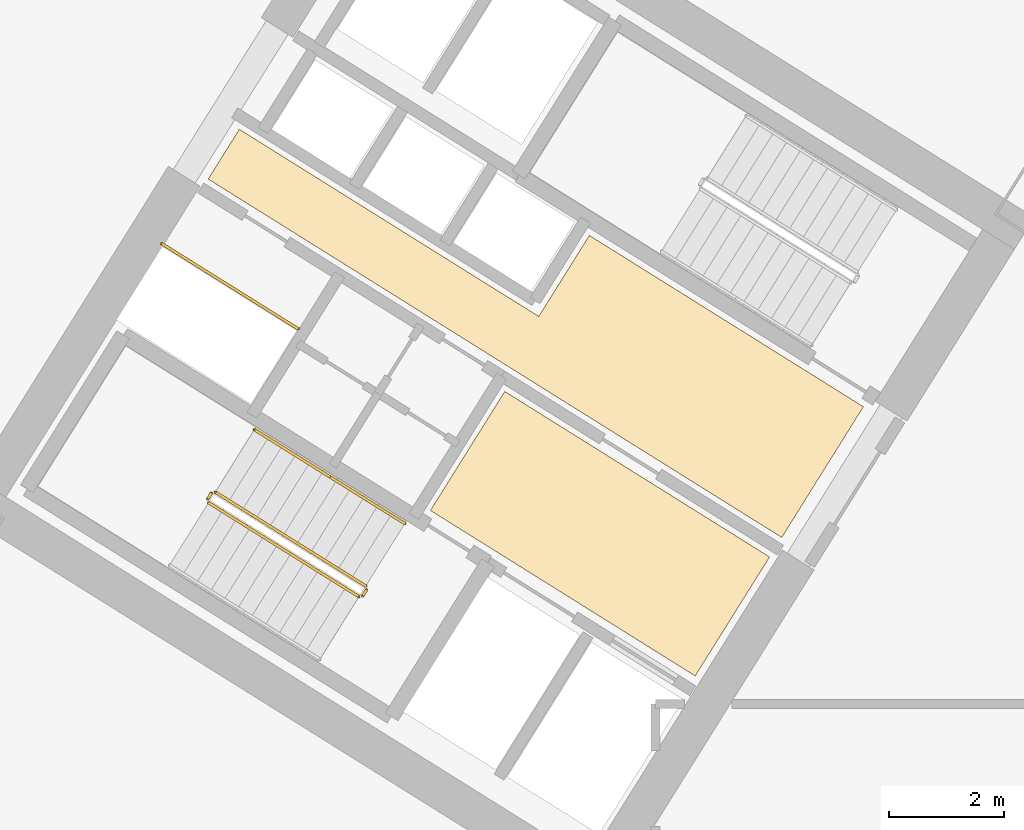
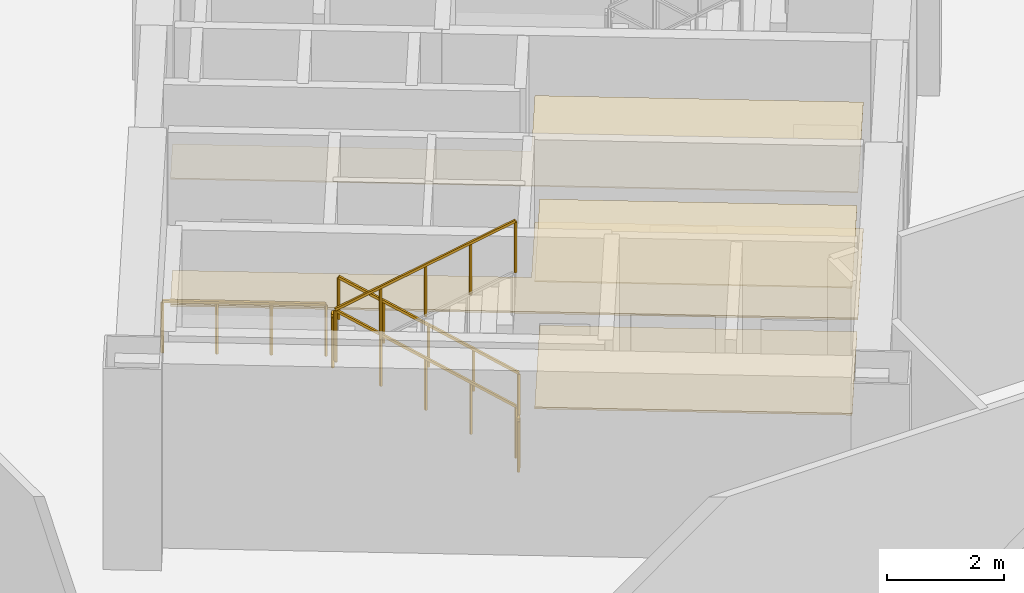
# One storey, part 18 of 22: 7 railings, 4 coverings.
"""IFC4 building model written with IfcOpenShell, lengths in metres."""

from ifc_helpers import new_model, si_unit, direction, frame, origin, origin_2d, place, context, subcontext, project, spatial, polyline, rectangle, outline, extrude, source, transform, mapped, material, layer, layer_set, type_object, element, save


model = new_model("IFC4")

# Units and contexts
model_context = context("Model", 3, precision=1e-05, world=origin(), true_north=direction((0.0, 1.0)))
body_context = subcontext(model_context, "Body", "Model", "MODEL_VIEW")
ifc_project = project(units=[si_unit("LENGTHUNIT", "METRE"), si_unit("AREAUNIT", "SQUARE_METRE"), si_unit("VOLUMEUNIT", "CUBIC_METRE"), si_unit("PLANEANGLEUNIT", "RADIAN"), si_unit("MASSUNIT", "GRAM", prefix="KILO")], contexts=[model_context])

# Site, building, storey
site_placement = place(None, origin())
site = spatial("IfcSite", under=ifc_project, at=site_placement, CompositionType="ELEMENT")
building_placement = place(site_placement, origin())
building = spatial("IfcBuilding", under=site, at=building_placement, Name="Tlacorven Tower", CompositionType="ELEMENT")
storey_placement = place(building_placement, frame((0.0, 0.0, 10.199951171875)))
storey = spatial("IfcBuildingStorey", under=building, at=storey_placement, Name="L02", CompositionType="ELEMENT", Elevation=10.199951171875)

# Coverings
ifc_material_1 = material(Name="Acoustic mineral-fibre ceiling")
ifc_layer_1 = layer(ifc_material_1, 0.02490234375)
ifc_layer_set_1 = layer_set([ifc_layer_1], Name="Acoustic mineral-fibre ceiling")
covering_type_1 = type_object("IfcCoveringType", Name="CV-CLG-ACST", PredefinedType="CEILING", material=ifc_layer_set_1)
covering_1_placement = place(storey_placement, frame((0.0, 0.0, 2.650146484375)))
element("IfcCovering", 1, at=covering_1_placement, inside=storey, type_object=covering_type_1, Name="L02 Acoustic Suspended Ceiling 1", PredefinedType="CEILING", context=body_context, shape_type="SweptSolid", body=[
    extrude(outline(polyline([(36.185302734375, 18.35595703125), (34.892333984375, 16.286865234375), (30.287353515625, 19.164306640625), (31.580322265625, 21.2333984375), (36.185302734375, 18.35595703125)])), origin(), (0.0, 0.0, 1.0), 0.02490234375),
])
covering_2_placement = place(storey_placement, frame((0.0, 0.0, 2.650146484375)))
element("IfcCovering", 2, at=covering_2_placement, inside=storey, type_object=covering_type_1, Name="L02 Acoustic Suspended Ceiling 2", PredefinedType="CEILING", context=body_context, shape_type="SweptSolid", body=[
    extrude(outline(polyline([(37.8173828125, 20.968017578125), (36.397216796875, 18.6953125), (26.424072265625, 24.927001953125), (26.964599609375, 25.7919921875), (32.171630859375, 22.538330078125), (33.05126953125, 23.946044921875), (37.8173828125, 20.968017578125)])), origin(), (0.0, 0.0, 1.0), 0.02490234375),
])
ifc_material_2 = material(Name="Terrazzo and ceramic flooring")
ifc_layer_2 = layer(ifc_material_2, 0.0400390625)
ifc_layer_set_2 = layer_set([ifc_layer_2], Name="Terrazzo and ceramic flooring")
covering_type_2 = type_object("IfcCoveringType", Name="CV-FLR-TERZ", PredefinedType="FLOORING", material=ifc_layer_set_2)
covering_3_placement = place(storey_placement, origin())
element("IfcCovering", 3, at=covering_3_placement, inside=storey, type_object=covering_type_2, Name="L02 Terrazzo Floor Finish 1", PredefinedType="FLOORING", context=body_context, shape_type="SweptSolid", body=[
    extrude(outline(polyline([(36.185302734375, 18.35595703125), (34.892333984375, 16.286865234375), (30.287353515625, 19.164306640625), (31.580322265625, 21.2333984375), (36.185302734375, 18.35595703125)])), origin(), (0.0, 0.0, 1.0), 0.0400390625),
])
covering_4_placement = place(storey_placement, origin())
element("IfcCovering", 4, at=covering_4_placement, inside=storey, type_object=covering_type_2, Name="L02 Terrazzo Floor Finish 2", PredefinedType="FLOORING", context=body_context, shape_type="SweptSolid", body=[
    extrude(outline(polyline([(37.8173828125, 20.968017578125), (36.397216796875, 18.6953125), (26.424072265625, 24.927001953125), (26.964599609375, 25.7919921875), (32.171630859375, 22.538330078125), (33.05126953125, 23.946044921875), (37.8173828125, 20.968017578125)])), origin(), (0.0, 0.0, 1.0), 0.0400390625),
])

# Railings
ifc_material_3 = material(Name="Aluminium and painted steel balustrade", Category="steel")
railing_type_1 = type_object("IfcRailingType", Name="RL-GRD-1100", PredefinedType="GUARDRAIL", material=ifc_material_3)
shared_shape_1 = source(origin(), body_context, "Body", "SweptSolid", [
    extrude(rectangle(XDim=0.048095703125, YDim=0.048095703125, at=origin_2d()), frame((0.0, 0.0, 1.076171875), z_axis=(-0.848091358275, 0.529850024081, 0.0), x_axis=(-0.529850024081, -0.848091358275, 0.0)), (0.0, 0.0, 1.0), 2.800048828125),
    extrude(rectangle(XDim=0.0419921875, YDim=0.0419921875, at=origin_2d()), origin(), (0.0, 0.0, 1.0), 1.052001953125),
    extrude(rectangle(XDim=0.0419921875, YDim=0.0419921875, at=origin_2d()), frame((-0.79150390625, 0.49462890625, 0.0)), (0.0, 0.0, 1.0), 1.052001953125),
    extrude(rectangle(XDim=0.0419921875, YDim=0.0419921875, at=origin_2d()), frame((-1.583251953125, 0.989013671875, 0.0)), (0.0, 0.0, 1.0), 1.052001953125),
    extrude(rectangle(XDim=0.0419921875, YDim=0.0419921875, at=origin_2d()), frame((-2.374755859375, 1.483642578125, 0.0)), (0.0, 0.0, 1.0), 1.052001953125),
])
railing_1_placement = place(storey_placement, frame((27.9912109375, 22.32080078125, 0.0)))
element("IfcRailing", 5, at=railing_1_placement, inside=storey, type_object=railing_type_1, Name="L02 Electrical Riser W Shaft Guard 1", PredefinedType="GUARDRAIL", context=body_context, shape_type="MappedRepresentation", body=[
    mapped(shared_shape_1, transform((0.0, 0.0, 0.0), scale=1.0)),
])
shared_shape_2 = source(origin(), body_context, "Body", "SweptSolid", [
    extrude(rectangle(XDim=0.048095703125, YDim=0.048095703125, at=origin_2d()), frame((0.0, 0.0, 1.076171875), z_axis=(-0.529084052582, -0.848569422795, 0.0), x_axis=(0.848569422795, -0.529084052582, 0.0)), (0.0, 0.0, 1.0), 0.119873046875),
    extrude(rectangle(XDim=0.0419921875, YDim=0.0419921875, at=origin_2d()), origin(), (0.0, 0.0, 1.0), 1.052001953125),
    extrude(rectangle(XDim=0.0419921875, YDim=0.0419921875, at=origin_2d()), frame((-0.0634765625, -0.101806640625, 0.0)), (0.0, 0.0, 1.0), 1.052001953125),
])
for number, where, name in (
    (6, (26.479736328125, 19.468017578125, 2.10009765625), "L02 ST-W1 stair guard 2"),
    (7, (29.176513671875, 17.782958984375, 0.0), "L02 ST-W1 stair guard 4"),
):
    element("IfcRailing", number, at=place(storey_placement, frame(where)), inside=storey, type_object=railing_type_1, Name=name, PredefinedType="GUARDRAIL", context=body_context, shape_type="MappedRepresentation", body=[
        mapped(shared_shape_2, transform((0.0, 0.0, 0.0), scale=1.0)),
    ])
shared_shape_3 = source(origin(), body_context, "Body", "SweptSolid", [
    extrude(rectangle(XDim=0.048095703125, YDim=0.048095703125, at=origin_2d()), frame((0.0, 0.0, 1.076171875), z_axis=(-0.719121732904, 0.449367057811, 0.530031301547), x_axis=(-0.52992768316, -0.848042835369, 0.0)), (0.0, 0.0, 1.0), 3.6318359375),
    extrude(rectangle(XDim=0.0419921875, YDim=0.0419921875, at=origin_2d()), origin(), (0.0, 0.0, 1.0), 1.052001953125),
    extrude(rectangle(XDim=0.0419921875, YDim=0.0419921875, at=origin_2d()), frame((-0.65283203125, 0.407958984375, 0.481201171875)), (0.0, 0.0, 1.0), 1.052001953125),
    extrude(rectangle(XDim=0.0419921875, YDim=0.0419921875, at=origin_2d()), frame((-1.305908203125, 0.81591796875, 0.96240234375)), (0.0, 0.0, 1.0), 1.052001953125),
    extrude(rectangle(XDim=0.0419921875, YDim=0.0419921875, at=origin_2d()), frame((-1.958984375, 1.22412109375, 1.44384765625)), (0.0, 0.0, 1.0), 1.052001953125),
    extrude(rectangle(XDim=0.0419921875, YDim=0.0419921875, at=origin_2d()), frame((-2.61181640625, 1.632080078125, 1.925048828125)), (0.0, 0.0, 1.0), 1.052001953125),
])
railing_2_placement = place(storey_placement, frame((29.16064453125, 17.851806640625, 0.175048828125)))
element("IfcRailing", 8, at=railing_2_placement, inside=storey, type_object=railing_type_1, Name="L02 ST-W1 stair guard 1", PredefinedType="GUARDRAIL", context=body_context, shape_type="MappedRepresentation", body=[
    mapped(shared_shape_3, transform((0.0, 0.0, 0.0), scale=1.0)),
])
shared_shape_4 = source(origin(), body_context, "Body", "SweptSolid", [
    extrude(rectangle(XDim=0.048095703125, YDim=0.048095703125, at=origin_2d()), frame((0.0, 0.0, 1.076171875), z_axis=(0.719179808639, -0.449361344121, 0.529957342865), x_axis=(0.52989206052, 0.848065094316, 0.0)), (0.0, 0.0, 1.0), 3.632080078125),
    extrude(rectangle(XDim=0.0419921875, YDim=0.0419921875, at=origin_2d()), origin(), (0.0, 0.0, 1.0), 1.052001953125),
    extrude(rectangle(XDim=0.0419921875, YDim=0.0419921875, at=origin_2d()), frame((0.653076171875, -0.407958984375, 0.481201171875)), (0.0, 0.0, 1.0), 1.052001953125),
    extrude(rectangle(XDim=0.0419921875, YDim=0.0419921875, at=origin_2d()), frame((1.30615234375, -0.81591796875, 0.96240234375)), (0.0, 0.0, 1.0), 1.052001953125),
    extrude(rectangle(XDim=0.0419921875, YDim=0.0419921875, at=origin_2d()), frame((1.958984375, -1.22412109375, 1.443603515625)), (0.0, 0.0, 1.0), 1.052001953125),
    extrude(rectangle(XDim=0.0419921875, YDim=0.0419921875, at=origin_2d()), frame((2.612060546875, -1.632080078125, 1.9248046875)), (0.0, 0.0, 1.0), 1.052001953125),
])
railing_3_placement = place(storey_placement, frame((26.43212890625, 19.29736328125, 2.275146484375)))
element("IfcRailing", 9, at=railing_3_placement, inside=storey, type_object=railing_type_1, Name="L02 ST-W1 stair guard 3", PredefinedType="GUARDRAIL", context=body_context, shape_type="MappedRepresentation", body=[
    mapped(shared_shape_4, transform((0.0, 0.0, 0.0), scale=1.0)),
])
railing_type_2 = type_object("IfcRailingType", Name="RL-HND-0900", PredefinedType="HANDRAIL", material=ifc_material_3)
shared_shape_5 = source(origin(), body_context, "Body", "SweptSolid", [
    extrude(rectangle(XDim=0.048095703125, YDim=0.048095703125, at=origin_2d()), frame((0.0, 0.0, 0.8759765625), z_axis=(-0.719190535565, 0.449393263625, 0.529915717981), x_axis=(-0.529913446429, -0.848051731496, 0.0)), (0.0, 0.0, 1.0), 1.816162109375),
    extrude(rectangle(XDim=0.0419921875, YDim=0.0419921875, at=origin_2d()), origin(), (0.0, 0.0, 1.0), 0.851806640625),
    extrude(rectangle(XDim=0.0419921875, YDim=0.0419921875, at=origin_2d()), frame((-0.653076171875, 0.408203125, 0.481201171875)), (0.0, 0.0, 1.0), 0.851806640625),
    extrude(rectangle(XDim=0.0419921875, YDim=0.0419921875, at=origin_2d()), frame((-1.30615234375, 0.816162109375, 0.96240234375)), (0.0, 0.0, 1.0), 0.851806640625),
])
railing_4_placement = place(storey_placement, frame((29.839111328125, 18.937255859375, 0.175048828125)))
element("IfcRailing", 10, at=railing_4_placement, inside=storey, type_object=railing_type_2, Name="L02 ST-W1 stair handrail 1", PredefinedType="HANDRAIL", context=body_context, shape_type="MappedRepresentation", body=[
    mapped(shared_shape_5, transform((0.0, 0.0, 0.0), scale=1.0)),
])
shared_shape_6 = source(origin(), body_context, "Body", "SweptSolid", [
    extrude(rectangle(XDim=0.048095703125, YDim=0.048095703125, at=origin_2d()), frame((0.0, 0.0, 0.8759765625), z_axis=(-0.719074390694, 0.449404690239, 0.530063623576), x_axis=(-0.529984689533, -0.848007210383, 0.0)), (0.0, 0.0, 1.0), 1.816162109375),
    extrude(rectangle(XDim=0.0419921875, YDim=0.0419921875, at=origin_2d()), origin(), (0.0, 0.0, 1.0), 0.851806640625),
    extrude(rectangle(XDim=0.0419921875, YDim=0.0419921875, at=origin_2d()), frame((-0.65283203125, 0.408203125, 0.4814453125)), (0.0, 0.0, 1.0), 0.851806640625),
    extrude(rectangle(XDim=0.0419921875, YDim=0.0419921875, at=origin_2d()), frame((-1.305908203125, 0.816162109375, 0.962646484375)), (0.0, 0.0, 1.0), 0.851806640625),
])
railing_5_placement = place(storey_placement, frame((28.532958984375, 19.75341796875, 1.137451171875)))
element("IfcRailing", 11, at=railing_5_placement, inside=storey, type_object=railing_type_2, Name="L02 ST-W1 stair handrail 2", PredefinedType="HANDRAIL", context=body_context, shape_type="MappedRepresentation", body=[
    mapped(shared_shape_6, transform((0.0, 0.0, 0.0), scale=1.0)),
])

save(model, "model.ifc")
